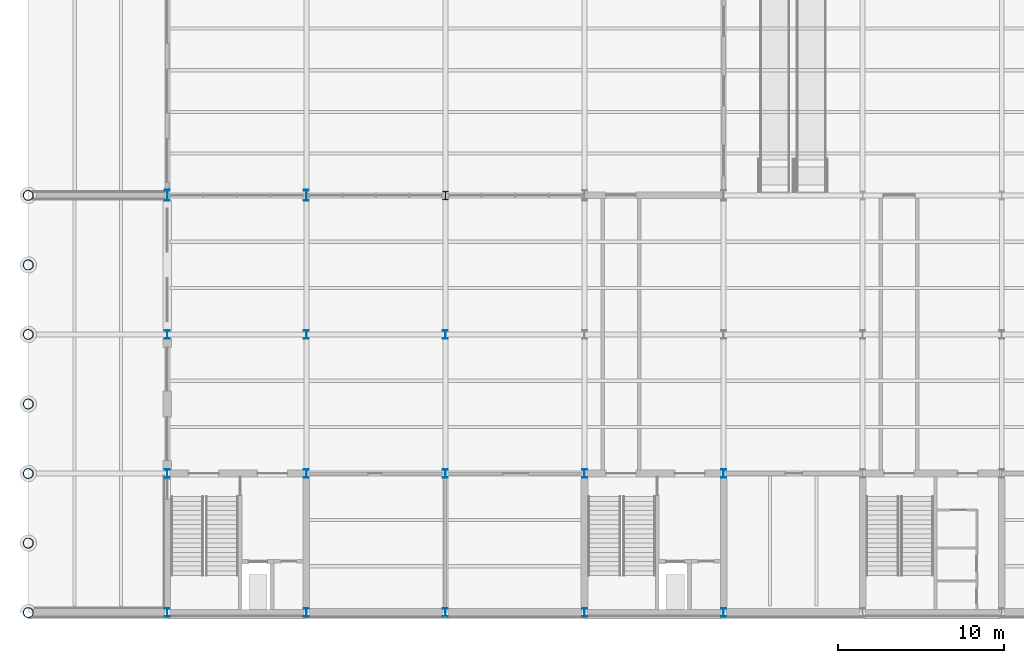
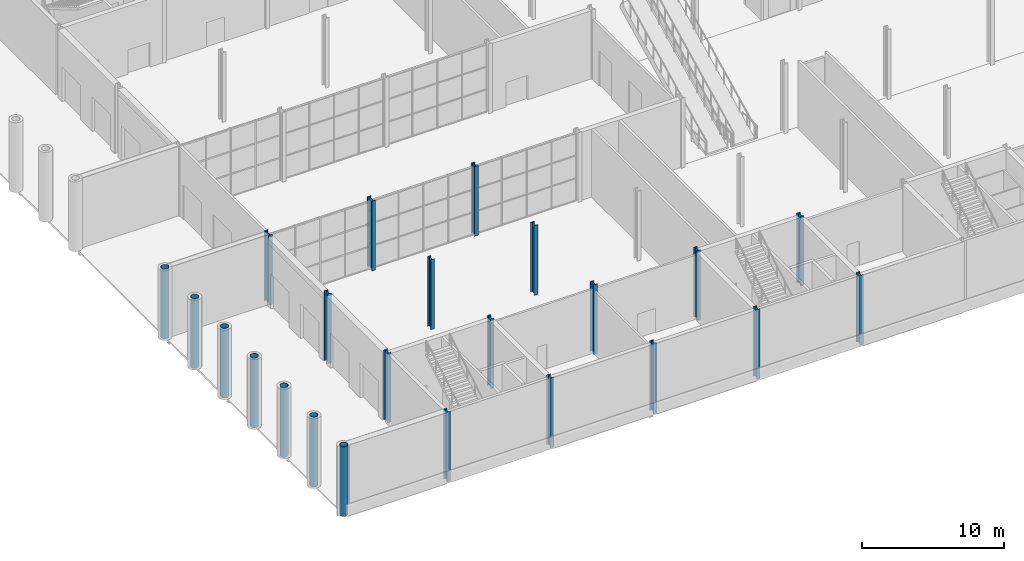
# One storey, part 1 of 55: 23 columns.
"""IFC4 building model written with IfcOpenShell, lengths in metres."""

import ifcopenshell
import ifcopenshell.guid

model = None  # the IFC model being written
_history = None  # IfcOwnerHistory: only IFC2X3 demands one
_inside = {}  # id of a spatial element -> (the spatial element, [elements in it])
_under = {}  # id of a project, library or spatial element -> (it, [spatial elements below it])
_declared = {}  # id of a project -> (the project, [libraries it declares])
_typed = {}  # id of a type object -> (the type object, [elements of that type])
_made_of = {}  # id of a material, layer set ... -> (it, [elements and type objects made of it])


def new_model(schema):
    """Start an empty IFC model of exactly this schema.

    Asked for "IFC4X3", IfcOpenShell would pick the latest addendum, in which some entities
    have other attributes; the version numbers below select the first issue.
    IFC2X3 requires an IfcOwnerHistory on every rooted entity: one is made here for all.
    """
    global model, _history
    if schema == "IFC4X3":
        model = ifcopenshell.file(schema_version=(4, 3, 0, 0))
    else:
        model = ifcopenshell.file(schema=schema)
    _inside.clear()
    _under.clear()
    _declared.clear()
    _typed.clear()
    _made_of.clear()
    _history = None
    if model.schema == "IFC2X3":
        org = make("IfcOrganization", Name="unknown")
        user = make(
            "IfcPersonAndOrganization",
            ThePerson=make("IfcPerson", FamilyName="unknown"),
            TheOrganization=org,
        )
        app = make(
            "IfcApplication",
            ApplicationDeveloper=org,
            Version="unknown",
            ApplicationFullName="unknown",
            ApplicationIdentifier="unknown",
        )
        _history = make(
            "IfcOwnerHistory",
            OwningUser=user,
            OwningApplication=app,
            ChangeAction="ADDED",
            CreationDate=0,
        )
    return model


def make(cls, **values):
    """One entity of the class cls with the attributes given. An attribute that is None is left unset."""
    return model.create_entity(
        cls, **{name: value for name, value in values.items() if value is not None}
    )


def rooted(cls, **values):
    """An entity with a GlobalId (a new one), such as an element, a storey or a relation."""
    return make(cls, GlobalId=ifcopenshell.guid.new(), OwnerHistory=_history, **values)


def si_unit(unit_type, name, prefix=None):
    """IfcSIUnit, for example si_unit("LENGTHUNIT", "METRE", prefix="MILLI")."""
    return make("IfcSIUnit", UnitType=unit_type, Prefix=prefix, Name=name)


def assignment(units):
    """IfcUnitAssignment: the units of a project."""
    return None if units is None else make("IfcUnitAssignment", Units=units)


def point(xyz):
    """IfcCartesianPoint."""
    return None if xyz is None else make("IfcCartesianPoint", Coordinates=xyz)


def direction(xyz):
    """IfcDirection."""
    return None if xyz is None else make("IfcDirection", DirectionRatios=xyz)


def frame(location, z_axis=None, x_axis=None):
    """IfcAxis2Placement3D, a coordinate frame: its origin and axes. An axis left out is left unset."""
    return make(
        "IfcAxis2Placement3D",
        Location=point(location),
        Axis=direction(z_axis),
        RefDirection=direction(x_axis),
    )


def frame_2d(location, x_axis=None):
    """IfcAxis2Placement2D, a coordinate frame in the plane: its origin and x axis."""
    return make(
        "IfcAxis2Placement2D", Location=point(location), RefDirection=direction(x_axis)
    )


def origin():
    """The frame at (0, 0, 0) with its axes left unset."""
    return frame((0.0, 0.0, 0.0))


def origin_2d():
    """The frame at (0, 0) in the plane with its x axis left unset."""
    return frame_2d((0.0, 0.0))


def place(relative_to, where):
    """IfcLocalPlacement: puts the frame where relative to a parent placement (None: the world)."""
    return make(
        "IfcLocalPlacement", PlacementRelTo=relative_to, RelativePlacement=where
    )


def context(
    kind, dimensions, precision=None, world=None, true_north=None, identifier=None
):
    """IfcGeometricRepresentationContext, for example the 3D "Model" context."""
    return make(
        "IfcGeometricRepresentationContext",
        ContextIdentifier=identifier,
        ContextType=kind,
        CoordinateSpaceDimension=dimensions,
        Precision=precision,
        WorldCoordinateSystem=world,
        TrueNorth=true_north,
    )


def subcontext(parent, identifier, kind, view, scale=None):
    """IfcGeometricRepresentationSubContext, for example "Body" below "Model"."""
    return make(
        "IfcGeometricRepresentationSubContext",
        ContextIdentifier=identifier,
        ContextType=kind,
        ParentContext=parent,
        TargetScale=scale,
        TargetView=view,
    )


def project(units=None, contexts=None):
    """IfcProject with its units and contexts."""
    return rooted(
        "IfcProject",
        Name="project",
        RepresentationContexts=contexts,
        UnitsInContext=assignment(units),
    )


def spatial(cls, under=None, at=None, **own):
    """A site, building, storey or space (cls), placed at a placement, below another one or the project."""
    s = rooted(cls, ObjectPlacement=at, **own)
    if under is not None:
        _under.setdefault(under.id(), (under, []))[1].append(s)
    return s


def profile(cls, at=None, kind="AREA", **sizes):
    """A parametric profile (cls). Its sizes go by their IFC names, for example OverallWidth=200.0."""
    return make(cls, ProfileType=kind, Position=at, **sizes)


def hollow_circle(**sizes):
    """IfcCircleHollowProfileDef."""
    return profile("IfcCircleHollowProfileDef", **sizes)


def i_section(**sizes):
    """IfcIShapeProfileDef."""
    return profile("IfcIShapeProfileDef", **sizes)


def extrude(swept, where, along, depth):
    """IfcExtrudedAreaSolid: the profile swept, set in the frame where, extruded along a direction by depth."""
    return make(
        "IfcExtrudedAreaSolid",
        SweptArea=swept,
        Position=where,
        ExtrudedDirection=direction(along),
        Depth=depth,
    )


def shape(context_of_items, identifier, shape_type, items):
    """IfcShapeRepresentation: the items that make up one representation, for example the "Body"."""
    return make(
        "IfcShapeRepresentation",
        ContextOfItems=context_of_items,
        RepresentationIdentifier=identifier,
        RepresentationType=shape_type,
        Items=items,
    )


def material(Name=None, Category=None):
    """IfcMaterial."""
    return make("IfcMaterial", Name=Name, Category=Category)


def material_profile(
    of_material, cross_section, Name=None, Category=None, Priority=None
):
    """IfcMaterialProfile: a cross section and its material."""
    return make(
        "IfcMaterialProfile",
        Name=Name,
        Material=of_material,
        Profile=cross_section,
        Priority=Priority,
        Category=Category,
    )


def profile_set(profiles, Name=None, composite=None):
    """IfcMaterialProfileSet."""
    return make(
        "IfcMaterialProfileSet",
        Name=Name,
        MaterialProfiles=profiles,
        CompositeProfile=composite,
    )


def made_of(thing, what):
    """Note that an element or type object is made of a material, layer set ...; save() writes the relation."""
    if what is not None:
        _made_of.setdefault(what.id(), (what, []))[1].append(thing)
    return thing


def type_object(cls, material=None, **own):
    """A type object (cls), such as IfcWallType, which elements share."""
    return made_of(rooted(cls, **own), material)


def element(
    cls,
    number,
    at=None,
    inside=None,
    cuts=None,
    type_object=None,
    material=None,
    context=None,
    identifier="Body",
    shape_type=None,
    held_by="IfcProductDefinitionShape",
    body=None,
    shapes=None,
    **own,
):
    """One element of the class cls, such as IfcWall. Its Tag is "e" and its number.

    at: its placement. inside: the storey or other place that contains it. cuts: it is an
    opening in that element (IfcRelVoidsElement). A single representation is given by context,
    identifier, shape_type and body (its items); several are given by shapes. held_by: the class
    of the entity that holds the representations. save() writes the other relations.
    """
    e = rooted(cls, Tag="e%d" % number, ObjectPlacement=at, **own)
    if body is not None:
        shapes = [shape(context, identifier, shape_type, body)]
    if shapes is not None:
        e.Representation = make(held_by, Representations=shapes)
    if inside is not None:
        _inside.setdefault(inside.id(), (inside, []))[1].append(e)
    if cuts is not None:
        rooted(
            "IfcRelVoidsElement", RelatingBuildingElement=cuts, RelatedOpeningElement=e
        )
    if type_object is not None:
        _typed.setdefault(type_object.id(), (type_object, []))[1].append(e)
    return made_of(e, material)


def aggregate(whole, parts):
    """IfcRelAggregates: a whole, such as a stair, and the parts it consists of."""
    return rooted("IfcRelAggregates", RelatingObject=whole, RelatedObjects=parts)


def save(model, path):
    """Write the relations noted so far, then the file.

    IfcRelAggregates (storeys below a building ...), IfcRelContainedInSpatialStructure (elements
    in a storey), IfcRelDefinesByType, IfcRelAssociatesMaterial and IfcRelDeclares: one each for
    every whole, place, type object, material and project.
    """
    for whole, parts in _under.values():
        aggregate(whole, parts)
    for where, things in _inside.values():
        rooted(
            "IfcRelContainedInSpatialStructure",
            RelatedElements=things,
            RelatingStructure=where,
        )
    for kind, things in _typed.values():
        rooted("IfcRelDefinesByType", RelatedObjects=things, RelatingType=kind)
    for what, things in _made_of.values():
        rooted("IfcRelAssociatesMaterial", RelatedObjects=things, RelatingMaterial=what)
    for by, libraries in _declared.values():
        rooted("IfcRelDeclares", RelatingContext=by, RelatedDefinitions=libraries)
    model.write(path)


model = new_model("IFC4")

# Units and contexts
model_context = context("Model", 3, precision=1e-05, world=origin(), true_north=direction((0.0, 1.0)))
body_context = subcontext(model_context, "Body", "Model", "MODEL_VIEW")
ifc_project = project(units=[si_unit("LENGTHUNIT", "METRE"), si_unit("AREAUNIT", "SQUARE_METRE"), si_unit("VOLUMEUNIT", "CUBIC_METRE"), si_unit("PLANEANGLEUNIT", "RADIAN"), si_unit("MASSUNIT", "GRAM", prefix="KILO")], contexts=[model_context])

# Site, building, storey
site_placement = place(None, origin())
site = spatial("IfcSite", under=ifc_project, at=site_placement, CompositionType="ELEMENT")
building_placement = place(site_placement, origin())
building = spatial("IfcBuilding", under=site, at=building_placement, Name="Galleria Vessillo Department Store", CompositionType="ELEMENT")
storey_placement = place(building_placement, origin())
storey = spatial("IfcBuildingStorey", under=building, at=storey_placement, Name="L00", CompositionType="ELEMENT", Elevation=0.0)

# Columns
ifc_material_1 = material(Name="Steel S355 J2", Category="steel")
ifc_material_profile_1 = material_profile(ifc_material_1, hollow_circle(Radius=0.304931640625, WallThickness=0.02490234375, at=origin_2d()), Name="CHS 610x25")
ifc_profile_set_1 = profile_set([ifc_material_profile_1], Name="Steel S355 J2")
column_type_1 = type_object("IfcColumnType", Name="Steel column CHS 610x25 CO1", PredefinedType="COLUMN", material=ifc_profile_set_1)
for number, where, z_axis, x_axis, name in (
    (1, (0.0, 0.0, 0.0), (0.0, 0.0, 1.0), (1.0, 0.0, 0.0), "S-COL-L00-1-A"),
    (2, (0.0, 4.199951171875, 0.0), (0.0, 0.0, 1.0), (1.0, 0.0, 0.0), "S-COL-L00-1-4.2"),
    (3, (0.0, 8.39990234375, 0.0), (0.0, 0.0, 1.0), (1.0, 0.0, 0.0), "S-COL-L00-1-B"),
    (4, (0.0, 12.60009765625, 0.0), (0.0, 0.0, 1.0), (1.0, 0.0, 0.0), "S-COL-L00-1-12.6"),
    (5, (0.0, 16.800048828125, 0.0), (0.0, 0.0, 1.0), (1.0, 0.0, 0.0), "S-COL-L00-1-C"),
    (6, (0.0, 21.0, 0.0), (0.0, 0.0, 1.0), (1.0, 0.0, 0.0), "S-COL-L00-1-21"),
    (7, (0.0, 25.199951171875, 0.0), (0.0, 0.0, 1.0), (1.0, 0.0, 0.0), "S-COL-L00-1-D"),
):
    element("IfcColumn", number, at=place(storey_placement, frame(where, z_axis=z_axis, x_axis=x_axis)), inside=storey, type_object=column_type_1, Name=name, PredefinedType="COLUMN", context=body_context, shape_type="SweptSolid", body=[
        extrude(hollow_circle(Radius=0.304931640625, WallThickness=0.02490234375, at=origin_2d()), origin(), (0.0, 0.0, 1.0), 6.0),
    ])
ifc_material_2 = material(Name="Steel S355 J2", Category="steel")
ifc_material_profile_2 = material_profile(ifc_material_2, i_section(OverallWidth=0.300048828125, OverallDepth=0.5, WebThickness=0.014404296875, FlangeThickness=0.028076171875, FilletRadius=0.027099609375, at=origin_2d()), Name="HEB 500")
ifc_profile_set_2 = profile_set([ifc_material_profile_2], Name="Steel S355 J2")
column_type_2 = type_object("IfcColumnType", Name="Steel column HEB 500 CP1", PredefinedType="COLUMN", material=ifc_profile_set_2)
for number, where, z_axis, x_axis, name in (
    (8, (8.39990234375, 0.0, 0.0), (0.0, 0.0, 1.0), (1.0, 0.0, 0.0), "S-COL-L00-2-A"),
    (9, (8.39990234375, 8.39990234375, 0.0), (0.0, 0.0, 1.0), (1.0, 0.0, 0.0), "S-COL-L00-2-B"),
    (10, (8.39990234375, 16.800048828125, 0.0), (0.0, 0.0, 1.0), (1.0, 0.0, 0.0), "S-COL-L00-2-C"),
    (11, (16.800048828125, 0.0, 0.0), (0.0, 0.0, 1.0), (1.0, 0.0, 0.0), "S-COL-L00-3-A"),
    (12, (16.800048828125, 8.39990234375, 0.0), (0.0, 0.0, 1.0), (1.0, 0.0, 0.0), "S-COL-L00-3-B"),
    (13, (16.800048828125, 16.800048828125, 0.0), (0.0, 0.0, 1.0), (1.0, 0.0, 0.0), "S-COL-L00-3-C"),
    (14, (25.199951171875, 0.0, 0.0), (0.0, 0.0, 1.0), (1.0, 0.0, 0.0), "S-COL-L00-4-A"),
    (15, (25.199951171875, 8.39990234375, 0.0), (0.0, 0.0, 1.0), (1.0, 0.0, 0.0), "S-COL-L00-4-B"),
    (16, (25.199951171875, 16.800048828125, 0.0), (0.0, 0.0, 1.0), (1.0, 0.0, 0.0), "S-COL-L00-4-C"),
    (17, (33.60009765625, 0.0, 0.0), (0.0, 0.0, 1.0), (1.0, 0.0, 0.0), "S-COL-L00-5-A"),
    (18, (33.60009765625, 8.39990234375, 0.0), (0.0, 0.0, 1.0), (1.0, 0.0, 0.0), "S-COL-L00-5-B"),
    (19, (42.0, 0.0, 0.0), (0.0, 0.0, 1.0), (1.0, 0.0, 0.0), "S-COL-L00-6-A"),
    (20, (42.0, 8.39990234375, 0.0), (0.0, 0.0, 1.0), (1.0, 0.0, 0.0), "S-COL-L00-6-B"),
):
    element("IfcColumn", number, at=place(storey_placement, frame(where, z_axis=z_axis, x_axis=x_axis)), inside=storey, type_object=column_type_2, Name=name, PredefinedType="COLUMN", context=body_context, shape_type="SweptSolid", body=[
        extrude(i_section(OverallWidth=0.300048828125, OverallDepth=0.5, WebThickness=0.014404296875, FlangeThickness=0.028076171875, FilletRadius=0.027099609375, at=origin_2d()), origin(), (0.0, 0.0, 1.0), 6.0),
    ])
ifc_material_3 = material(Name="Steel S355 J2", Category="steel")
ifc_material_profile_3 = material_profile(ifc_material_3, i_section(OverallWidth=0.305908203125, OverallDepth=0.52392578125, WebThickness=0.02099609375, FlangeThickness=0.0400390625, FilletRadius=0.027099609375, at=origin_2d()), Name="HEM 500")
ifc_profile_set_3 = profile_set([ifc_material_profile_3], Name="Steel S355 J2")
column_type_3 = type_object("IfcColumnType", Name="Steel column HEM 500 CV1", PredefinedType="COLUMN", material=ifc_profile_set_3)
column_placement = place(storey_placement, frame((25.199951171875, 25.199951171875, 0.0), z_axis=(0.0, 0.0, 1.0), x_axis=(1.0, 0.0, 0.0)))
element("IfcColumn", 21, at=column_placement, inside=storey, type_object=column_type_3, Name="S-COL-L00-4-D", PredefinedType="COLUMN", context=body_context, shape_type="SweptSolid", body=[
    extrude(i_section(OverallWidth=0.305908203125, OverallDepth=0.52392578125, WebThickness=0.02099609375, FlangeThickness=0.0400390625, FilletRadius=0.027099609375, at=origin_2d()), origin(), (0.0, 0.0, 1.0), 6.0),
])
ifc_material_4 = material(Name="Steel S355 J2", Category="steel")
ifc_material_profile_4 = material_profile(ifc_material_4, i_section(OverallWidth=0.304931640625, OverallDepth=0.66796875, WebThickness=0.02099609375, FlangeThickness=0.0400390625, FilletRadius=0.027099609375, at=origin_2d()), Name="HEM 650")
ifc_profile_set_4 = profile_set([ifc_material_profile_4], Name="Steel S355 J2")
column_type_4 = type_object("IfcColumnType", Name="Steel column HEM 650 CV3", PredefinedType="COLUMN", material=ifc_profile_set_4)
for number, where, z_axis, x_axis, name in (
    (22, (8.39990234375, 25.199951171875, 0.0), (0.0, 0.0, 1.0), (1.0, 0.0, 0.0), "S-COL-L00-2-D"),
    (23, (16.800048828125, 25.199951171875, 0.0), (0.0, 0.0, 1.0), (1.0, 0.0, 0.0), "S-COL-L00-3-D"),
):
    element("IfcColumn", number, at=place(storey_placement, frame(where, z_axis=z_axis, x_axis=x_axis)), inside=storey, type_object=column_type_4, Name=name, PredefinedType="COLUMN", context=body_context, shape_type="SweptSolid", body=[
        extrude(i_section(OverallWidth=0.304931640625, OverallDepth=0.66796875, WebThickness=0.02099609375, FlangeThickness=0.0400390625, FilletRadius=0.027099609375, at=origin_2d()), origin(), (0.0, 0.0, 1.0), 6.0),
    ])

save(model, "model.ifc")
